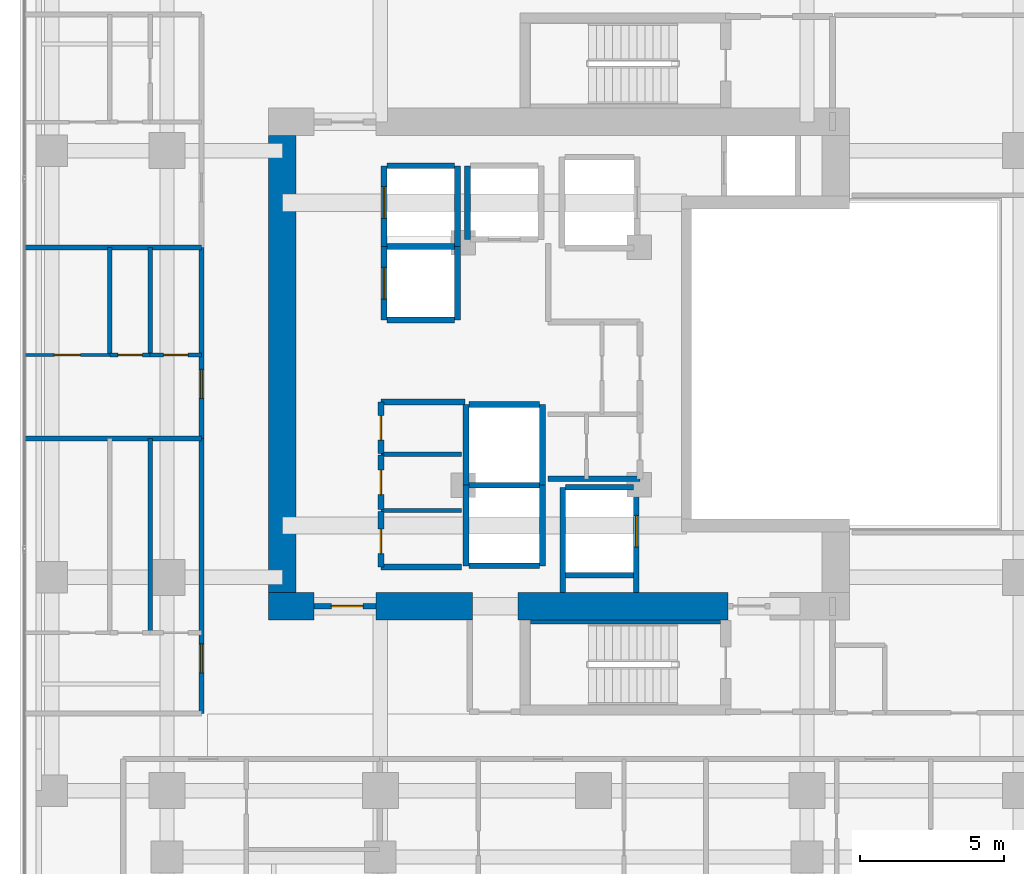
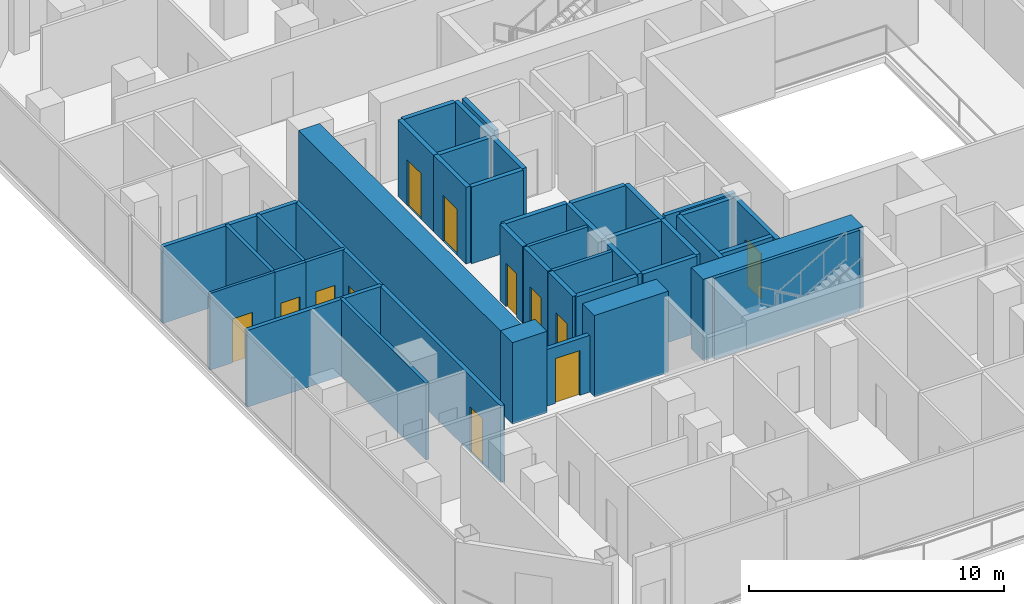
# One storey, part 22 of 29: 43 walls, 12 doors, 12 openings.
"""IFC4 building model written with IfcOpenShell, lengths in metres."""

from ifc_helpers import new_model, si_unit, direction, frame, frame_2d, origin, place, context, subcontext, project, spatial, rectangle, extrude, material, layer, layer_set, type_object, element, fill, save


model = new_model("IFC4")

# Units and contexts
model_context = context("Model", 3, precision=1e-05, world=origin(), true_north=direction((0.0, 1.0)))
body_context = subcontext(model_context, "Body", "Model", "MODEL_VIEW")
ifc_project = project(units=[si_unit("LENGTHUNIT", "METRE"), si_unit("AREAUNIT", "SQUARE_METRE"), si_unit("VOLUMEUNIT", "CUBIC_METRE"), si_unit("PLANEANGLEUNIT", "RADIAN"), si_unit("MASSUNIT", "GRAM", prefix="KILO")], contexts=[model_context])

# Site, building, storey
site_placement = place(None, origin())
site = spatial("IfcSite", under=ifc_project, at=site_placement, CompositionType="ELEMENT")
building_placement = place(site_placement, origin())
building = spatial("IfcBuilding", under=site, at=building_placement, Name="Khorvyn Point Tower", CompositionType="ELEMENT")
storey_placement = place(building_placement, frame((0.0, 0.0, 136.800048828125)))
storey = spatial("IfcBuildingStorey", under=building, at=storey_placement, Name="L34", CompositionType="ELEMENT", Elevation=136.800048828125)

# Wall, opening, door
ifc_material_1 = material(Name="Double acoustic gypsum on twin steel stud", Category="steel")
ifc_layer_1 = layer(ifc_material_1, 0.179931640625)
ifc_layer_set_1 = layer_set([ifc_layer_1], Name="Acoustic Double-Stud Apartment Demising Wall 180")
wall_type_1 = type_object("IfcWallType", Name="Acoustic Double-Stud Apartment Demising Wall 180", PredefinedType="PARTITIONING", material=ifc_layer_set_1)
wall_1_placement = place(storey_placement, frame((-13.60009765625, -12.1201171875, 0.0), z_axis=(0.0, 0.0, 1.0), x_axis=(0.0, 1.0, 0.0)))
wall_1 = element("IfcWall", 1, at=wall_1_placement, inside=storey, type_object=wall_type_1, Name="Wall", PredefinedType="PARTITIONING", context=body_context, shape_type="SweptSolid", body=[
    extrude(rectangle(XDim=9.5341796875, YDim=0.179931640625, at=frame_2d((4.76708984375, 0.0))), origin(), (0.0, 0.0, 1.0), 3.679931640625),
])
opening_1_placement = place(wall_1_placement, frame((1.409912109375, 0.0, 0.0)))
opening_1 = element("IfcOpeningElement", 2, at=opening_1_placement, cuts=wall_1, Name="Opening ID-AP60", PredefinedType="OPENING", context=body_context, shape_type="SweptSolid", body=[
    extrude(rectangle(XDim=1.0, YDim=2.199951171875, at=frame_2d((0.5, 1.10009765625))), frame((0.0, 0.099853515625, 0.0), z_axis=(0.0, -1.0, 0.0), x_axis=(1.0, 0.0, 0.0)), (0.0, 0.0, 1.0), 0.199951171875),
])
ifc_material_2 = material(Name="Engineered hardwood fire-rated leaf", Category="wood")
door_type_1 = type_object("IfcDoorType", Name="Acoustic Solid-Core Timber Apartment Entrance Door 1000x2200", OperationType="NOTDEFINED", PredefinedType="DOOR", material=ifc_material_2)
door_1_placement = place(opening_1_placement, origin())
door_1 = element("IfcDoor", 3, at=door_1_placement, inside=storey, type_object=door_type_1, Name="Door", OperationType="SINGLE_SWING_LEFT", OverallHeight=2.199951171875, OverallWidth=1.0, PredefinedType="DOOR", context=body_context, shape_type="SweptSolid", body=[
    extrude(rectangle(XDim=1.0, YDim=2.199951171875, at=frame_2d((0.5, 1.10009765625))), frame((0.0, 0.02490234375, 0.0), z_axis=(0.0, -1.0, 0.0), x_axis=(1.0, 0.0, 0.0)), (0.0, 0.0, 1.0), 0.050048828125),
])
fill(opening_1, door_1)

wall_2_placement = place(storey_placement, frame((-13.60009765625, -2.5859375, 0.0), z_axis=(0.0, 0.0, 1.0), x_axis=(0.0, 1.0, 0.0)))
wall_2 = element("IfcWall", 4, at=wall_2_placement, inside=storey, type_object=wall_type_1, Name="Wall", PredefinedType="PARTITIONING", context=body_context, shape_type="SweptSolid", body=[
    extrude(rectangle(XDim=6.6259765625, YDim=0.179931640625, at=frame_2d((3.31298828125, 0.0))), origin(), (0.0, 0.0, 1.0), 3.679931640625),
])
opening_2_placement = place(wall_2_placement, frame((1.398193359375, 0.0, 0.0)))
opening_2 = element("IfcOpeningElement", 5, at=opening_2_placement, cuts=wall_2, Name="Opening ID-AP60", PredefinedType="OPENING", context=body_context, shape_type="SweptSolid", body=[
    extrude(rectangle(XDim=1.0, YDim=2.199951171875, at=frame_2d((0.5, 1.10009765625))), frame((0.0, 0.099853515625, 0.0), z_axis=(0.0, -1.0, 0.0), x_axis=(1.0, 0.0, 0.0)), (0.0, 0.0, 1.0), 0.199951171875),
])
door_2_placement = place(opening_2_placement, origin())
door_2 = element("IfcDoor", 6, at=door_2_placement, inside=storey, type_object=door_type_1, Name="Door", OperationType="SINGLE_SWING_LEFT", OverallHeight=2.199951171875, OverallWidth=1.0, PredefinedType="DOOR", context=body_context, shape_type="SweptSolid", body=[
    extrude(rectangle(XDim=1.0, YDim=2.199951171875, at=frame_2d((0.5, 1.10009765625))), frame((0.0, 0.02490234375, 0.0), z_axis=(0.0, -1.0, 0.0), x_axis=(1.0, 0.0, 0.0)), (0.0, 0.0, 1.0), 0.050048828125),
])
fill(opening_2, door_2)

# Walls
for number, where, z_axis, x_axis, name in (
    (7, (-19.72998046875, -2.5859375, 0.0), (0.0, 0.0, 1.0), (1.0, 0.0, 0.0), "Wall"),
    (8, (-19.72998046875, 4.0400390625, 0.0), (0.0, 0.0, 1.0), (1.0, 0.0, 0.0), "Wall"),
):
    element("IfcWall", number, at=place(storey_placement, frame(where, z_axis=z_axis, x_axis=x_axis)), inside=storey, type_object=wall_type_1, Name=name, PredefinedType="PARTITIONING", context=body_context, shape_type="SweptSolid", body=[
        extrude(rectangle(XDim=6.1298828125, YDim=0.179931640625, at=frame_2d((3.06494140625, 0.0))), origin(), (0.0, 0.0, 1.0), 3.679931640625),
    ])

# Wall, opening, door
ifc_material_3 = material(Name="Concrete C40/50", Category="concrete")
ifc_layer_2 = layer(ifc_material_3, 0.199951171875)
ifc_layer_set_2 = layer_set([ifc_layer_2], Name="Concrete C40/50 Fire-Lobby Compartment Wall 200")
wall_type_2 = type_object("IfcWallType", Name="Concrete C40/50 Fire-Lobby Compartment Wall 200", PredefinedType="SOLIDWALL", material=ifc_layer_set_2)
wall_3_placement = place(storey_placement, frame((-9.699951171875, -8.39990234375, 0.0), z_axis=(0.0, 0.0, 1.0), x_axis=(1.0, 0.0, 0.0)))
wall_3 = element("IfcWall", 9, at=wall_3_placement, inside=storey, type_object=wall_type_2, Name="Wall", PredefinedType="SOLIDWALL", context=body_context, shape_type="SweptSolid", body=[
    extrude(rectangle(XDim=2.14990234375, YDim=0.199951171875, at=frame_2d((1.074951171875, 0.0))), origin(), (0.0, 0.0, 1.0), 2.719970703125),
])
opening_3_placement = place(wall_3_placement, frame((0.597900390625, 0.0, 0.0)))
opening_3 = element("IfcOpeningElement", 10, at=opening_3_placement, cuts=wall_3, Name="Opening ID-FL90", PredefinedType="OPENING", context=body_context, shape_type="SweptSolid", body=[
    extrude(rectangle(XDim=1.10009765625, YDim=2.14990234375, at=frame_2d((0.550048828125, 1.074951171875))), frame((0.0, 0.10986328125, 0.0), z_axis=(0.0, -1.0, 0.0), x_axis=(1.0, 0.0, 0.0)), (0.0, 0.0, 1.0), 0.219970703125),
])
ifc_material_4 = material(Name="Galvanised powder-coated steel", Category="steel")
door_type_2 = type_object("IfcDoorType", Name="Fire-Rated Steel Lobby and Stair Door 1100x2150", OperationType="NOTDEFINED", PredefinedType="DOOR", material=ifc_material_4)
door_3_placement = place(opening_3_placement, origin())
door_3 = element("IfcDoor", 11, at=door_3_placement, inside=storey, type_object=door_type_2, Name="Door", OperationType="SINGLE_SWING_LEFT", OverallHeight=2.14990234375, OverallWidth=1.10009765625, PredefinedType="DOOR", context=body_context, shape_type="SweptSolid", body=[
    extrude(rectangle(XDim=1.10009765625, YDim=2.14990234375, at=frame_2d((0.550048828125, 1.074951171875))), frame((0.0, 0.02490234375, 0.0), z_axis=(0.0, -1.0, 0.0), x_axis=(1.0, 0.0, 0.0)), (0.0, 0.0, 1.0), 0.050048828125),
])
fill(opening_3, door_3)

wall_4_placement = place(storey_placement, frame((-7.3798828125, -7.0400390625, 0.0), z_axis=(0.0, 0.0, 1.0), x_axis=(0.0, 1.0, 0.0)))
wall_4 = element("IfcWall", 12, at=wall_4_placement, inside=storey, type_object=wall_type_2, Name="Wall", PredefinedType="SOLIDWALL", context=body_context, shape_type="SweptSolid", body=[
    extrude(rectangle(XDim=1.929931640625, YDim=0.199951171875, at=frame_2d((0.96484375, 0.0))), origin(), (0.0, 0.0, 1.0), 3.679931640625),
])
opening_4_placement = place(wall_4_placement, frame((0.464111328125, 0.0, 0.0)))
opening_4 = element("IfcOpeningElement", 13, at=opening_4_placement, cuts=wall_4, Name="Opening ID-WC85", PredefinedType="OPENING", context=body_context, shape_type="SweptSolid", body=[
    extrude(rectangle(XDim=0.85009765625, YDim=2.10009765625, at=frame_2d((0.425048828125, 1.050048828125))), frame((0.0, 0.10986328125, 0.0), z_axis=(0.0, -1.0, 0.0), x_axis=(1.0, 0.0, 0.0)), (0.0, 0.0, 1.0), 0.219970703125),
])
ifc_material_5 = material(Name="High-pressure laminate on moisture-resistant core", Category="wood")
door_type_3 = type_object("IfcDoorType", Name="Moisture-Resistant Accessible Washroom Door 850x2100", OperationType="NOTDEFINED", PredefinedType="DOOR", material=ifc_material_5)
door_4_placement = place(opening_4_placement, origin())
door_4 = element("IfcDoor", 14, at=door_4_placement, inside=storey, type_object=door_type_3, Name="Door", OperationType="SINGLE_SWING_RIGHT", OverallHeight=2.10009765625, OverallWidth=0.85009765625, PredefinedType="DOOR", context=body_context, shape_type="SweptSolid", body=[
    extrude(rectangle(XDim=0.85009765625, YDim=2.10009765625, at=frame_2d((0.425048828125, 1.050048828125))), frame((0.0, 0.02490234375, 0.0), z_axis=(0.0, -1.0, 0.0), x_axis=(1.0, 0.0, 0.0)), (0.0, 0.0, 1.0), 0.050048828125),
])
fill(opening_4, door_4)

wall_5_placement = place(storey_placement, frame((-7.3798828125, -5.050048828125, 0.0), z_axis=(0.0, 0.0, 1.0), x_axis=(0.0, 1.0, 0.0)))
wall_5 = element("IfcWall", 15, at=wall_5_placement, inside=storey, type_object=wall_type_2, Name="Wall", PredefinedType="SOLIDWALL", context=body_context, shape_type="SweptSolid", body=[
    extrude(rectangle(XDim=1.89013671875, YDim=0.199951171875, at=frame_2d((0.945068359375, 0.0))), origin(), (0.0, 0.0, 1.0), 3.679931640625),
])
opening_5_placement = place(wall_5_placement, frame((0.52001953125, 0.0, 0.0)))
opening_5 = element("IfcOpeningElement", 16, at=opening_5_placement, cuts=wall_5, Name="Opening ID-WC85", PredefinedType="OPENING", context=body_context, shape_type="SweptSolid", body=[
    extrude(rectangle(XDim=0.85009765625, YDim=2.10009765625, at=frame_2d((0.425048828125, 1.050048828125))), frame((0.0, 0.10986328125, 0.0), z_axis=(0.0, -1.0, 0.0), x_axis=(1.0, 0.0, 0.0)), (0.0, 0.0, 1.0), 0.219970703125),
])
door_5_placement = place(opening_5_placement, origin())
door_5 = element("IfcDoor", 17, at=door_5_placement, inside=storey, type_object=door_type_3, Name="Door", OperationType="SINGLE_SWING_LEFT", OverallHeight=2.10009765625, OverallWidth=0.85009765625, PredefinedType="DOOR", context=body_context, shape_type="SweptSolid", body=[
    extrude(rectangle(XDim=0.85009765625, YDim=2.10009765625, at=frame_2d((0.425048828125, 1.050048828125))), frame((0.0, 0.02490234375, 0.0), z_axis=(0.0, -1.0, 0.0), x_axis=(1.0, 0.0, 0.0)), (0.0, 0.0, 1.0), 0.050048828125),
])
fill(opening_5, door_5)

wall_6_placement = place(storey_placement, frame((-7.3798828125, -3.10009765625, 0.0), z_axis=(0.0, 0.0, 1.0), x_axis=(0.0, 1.0, 0.0)))
wall_6 = element("IfcWall", 18, at=wall_6_placement, inside=storey, type_object=wall_type_2, Name="Wall", PredefinedType="SOLIDWALL", context=body_context, shape_type="SweptSolid", body=[
    extrude(rectangle(XDim=1.780029296875, YDim=0.199951171875, at=frame_2d((0.89013671875, 0.0))), origin(), (0.0, 0.0, 1.0), 3.679931640625),
])
opening_6_placement = place(wall_6_placement, frame((0.465087890625, 0.0, 0.0)))
opening_6 = element("IfcOpeningElement", 19, at=opening_6_placement, cuts=wall_6, Name="Opening ID-WC85", PredefinedType="OPENING", context=body_context, shape_type="SweptSolid", body=[
    extrude(rectangle(XDim=0.85009765625, YDim=2.10009765625, at=frame_2d((0.425048828125, 1.050048828125))), frame((0.0, 0.10986328125, 0.0), z_axis=(0.0, -1.0, 0.0), x_axis=(1.0, 0.0, 0.0)), (0.0, 0.0, 1.0), 0.219970703125),
])
door_6_placement = place(opening_6_placement, origin())
door_6 = element("IfcDoor", 20, at=door_6_placement, inside=storey, type_object=door_type_3, Name="Door", OperationType="SINGLE_SWING_RIGHT", OverallHeight=2.10009765625, OverallWidth=0.85009765625, PredefinedType="DOOR", context=body_context, shape_type="SweptSolid", body=[
    extrude(rectangle(XDim=0.85009765625, YDim=2.10009765625, at=frame_2d((0.425048828125, 1.050048828125))), frame((0.0, 0.02490234375, 0.0), z_axis=(0.0, -1.0, 0.0), x_axis=(1.0, 0.0, 0.0)), (0.0, 0.0, 1.0), 0.050048828125),
])
fill(opening_6, door_6)

# Walls
wall_7_placement = place(storey_placement, frame((-7.3798828125, -1.320068359375, 0.0), z_axis=(0.0, 0.0, 1.0), x_axis=(1.0, 0.0, 0.0)))
element("IfcWall", 21, at=wall_7_placement, inside=storey, type_object=wall_type_2, Name="Wall", PredefinedType="SOLIDWALL", context=body_context, shape_type="SweptSolid", body=[
    extrude(rectangle(XDim=2.909912109375, YDim=0.199951171875, at=frame_2d((1.455078125, 0.0))), origin(), (0.0, 0.0, 1.0), 3.679931640625),
])
wall_8_placement = place(storey_placement, frame((-1.580078125, -3.97998046875, 0.0), z_axis=(0.0, 0.0, 1.0), x_axis=(1.0, 0.0, 0.0)))
element("IfcWall", 22, at=wall_8_placement, inside=storey, type_object=wall_type_2, Name="Wall", PredefinedType="SOLIDWALL", context=body_context, shape_type="SweptSolid", body=[
    extrude(rectangle(XDim=3.190185546875, YDim=0.199951171875, at=frame_2d((1.59521484375, 0.0))), origin(), (0.0, 0.0, 1.0), 3.679931640625),
])
wall_9_placement = place(storey_placement, frame((-7.3798828125, -7.0400390625, 0.0), z_axis=(0.0, 0.0, 1.0), x_axis=(1.0, 0.0, 0.0)))
element("IfcWall", 23, at=wall_9_placement, inside=storey, type_object=wall_type_2, Name="Wall", PredefinedType="SOLIDWALL", context=body_context, shape_type="SweptSolid", body=[
    extrude(rectangle(XDim=2.7998046875, YDim=0.199951171875, at=frame_2d((1.39990234375, 0.0))), origin(), (0.0, 0.0, 1.0), 3.679931640625),
])
ifc_layer_3 = layer(ifc_material_3, 0.25)
ifc_layer_set_3 = layer_set([ifc_layer_3], Name="Concrete C40/50 Stair Inner Cheek Structural Wall 250")
wall_type_3 = type_object("IfcWallType", Name="Concrete C40/50 Stair Inner Cheek Structural Wall 250", PredefinedType="SHEAR", material=ifc_layer_set_3)
wall_10_placement = place(storey_placement, frame((-2.199951171875, -8.949951171875, 0.0), z_axis=(0.0, 0.0, 1.0), x_axis=(1.0, 0.0, 0.0)))
element("IfcWall", 24, at=wall_10_placement, inside=storey, type_object=wall_type_3, Name="Wall", PredefinedType="SHEAR", context=body_context, shape_type="SweptSolid", body=[
    extrude(rectangle(XDim=6.599853515625, YDim=0.14990234375, at=frame_2d((3.2998046875, 0.0))), origin(), (0.0, 0.0, 1.0), 3.89990234375),
])

# Wall, opening, door
ifc_layer_4 = layer(ifc_material_3, 0.199951171875)
ifc_layer_set_4 = layer_set([ifc_layer_4], Name="Concrete C40/50 Structural Hoistway and Stair Shaft Wall 200")
wall_type_4 = type_object("IfcWallType", Name="Concrete C40/50 Structural Hoistway and Stair Shaft Wall 200", PredefinedType="SHEAR", material=ifc_layer_set_4)
wall_11_placement = place(storey_placement, frame((-7.27490234375, 1.52490234375, 0.0), z_axis=(0.0, 0.0, 1.0), x_axis=(0.0, 1.0, 0.0)))
wall_11 = element("IfcWall", 25, at=wall_11_placement, inside=storey, type_object=wall_type_4, Name="Wall", PredefinedType="SHEAR", context=body_context, shape_type="SweptSolid", body=[
    extrude(rectangle(XDim=2.550048828125, YDim=0.199951171875, at=frame_2d((1.27490234375, 0.0))), origin(), (0.0, 0.0, 1.0), 3.679931640625),
])
opening_7_placement = place(wall_11_placement, frame((0.72509765625, 0.0, 0.0)))
opening_7 = element("IfcOpeningElement", 26, at=opening_7_placement, cuts=wall_11, Name="Opening LD-1122", PredefinedType="OPENING", context=body_context, shape_type="SweptSolid", body=[
    extrude(rectangle(XDim=1.10009765625, YDim=2.199951171875, at=frame_2d((0.550048828125, 1.10009765625))), frame((0.0, 0.10986328125, 0.0), z_axis=(0.0, -1.0, 0.0), x_axis=(1.0, 0.0, 0.0)), (0.0, 0.0, 1.0), 0.219970703125),
])
ifc_material_6 = material(Name="Stainless steel 1.4301", Category="steel")
door_type_4 = type_object("IfcDoorType", Name="Stainless Steel Automatic Sliding Lift Landing Door 1100x2200", OperationType="SLIDING_TO_LEFT", PredefinedType="DOOR", material=ifc_material_6)
door_7_placement = place(opening_7_placement, origin())
door_7 = element("IfcDoor", 27, at=door_7_placement, inside=storey, type_object=door_type_4, Name="L34 RM-01 Sliding Lift Landing Door", OperationType="SLIDING_TO_LEFT", OverallHeight=2.199951171875, OverallWidth=1.10009765625, PredefinedType="DOOR", context=body_context, shape_type="SweptSolid", body=[
    extrude(rectangle(XDim=1.10009765625, YDim=2.199951171875, at=frame_2d((0.550048828125, 1.10009765625))), frame((0.0, 0.02490234375, 0.0), z_axis=(0.0, -1.0, 0.0), x_axis=(1.0, 0.0, 0.0)), (0.0, 0.0, 1.0), 0.050048828125),
])
fill(opening_7, door_7)

# Walls
wall_12_placement = place(storey_placement, frame((-4.72509765625, 1.52490234375, 0.0), z_axis=(0.0, 0.0, 1.0), x_axis=(0.0, 1.0, 0.0)))
element("IfcWall", 28, at=wall_12_placement, inside=storey, type_object=wall_type_4, Name="Wall", PredefinedType="SHEAR", context=body_context, shape_type="SweptSolid", body=[
    extrude(rectangle(XDim=2.550048828125, YDim=0.199951171875, at=frame_2d((1.27490234375, 0.0))), origin(), (0.0, 0.0, 1.0), 3.679931640625),
])
for number, where, z_axis, x_axis, name in (
    (29, (-7.175048828125, 1.52490234375, 0.0), (0.0, 0.0, 1.0), (1.0, 0.0, 0.0), "Wall"),
    (30, (-7.175048828125, 4.074951171875, 0.0), (0.0, 0.0, 1.0), (1.0, 0.0, 0.0), "Wall"),
):
    element("IfcWall", number, at=place(storey_placement, frame(where, z_axis=z_axis, x_axis=x_axis)), inside=storey, type_object=wall_type_4, Name=name, PredefinedType="SHEAR", context=body_context, shape_type="SweptSolid", body=[
        extrude(rectangle(XDim=2.35009765625, YDim=0.199951171875, at=frame_2d((1.175048828125, 0.0))), origin(), (0.0, 0.0, 1.0), 3.679931640625),
    ])

# Wall, opening, door
wall_13_placement = place(storey_placement, frame((-7.27490234375, 4.074951171875, 0.0), z_axis=(0.0, 0.0, 1.0), x_axis=(0.0, 1.0, 0.0)))
wall_13 = element("IfcWall", 31, at=wall_13_placement, inside=storey, type_object=wall_type_4, Name="Wall", PredefinedType="SHEAR", context=body_context, shape_type="SweptSolid", body=[
    extrude(rectangle(XDim=2.800048828125, YDim=0.199951171875, at=frame_2d((1.39990234375, 0.0))), origin(), (0.0, 0.0, 1.0), 3.679931640625),
])
opening_8_placement = place(wall_13_placement, frame((0.97509765625, 0.0, 0.0)))
opening_8 = element("IfcOpeningElement", 32, at=opening_8_placement, cuts=wall_13, Name="Opening LD-1122", PredefinedType="OPENING", context=body_context, shape_type="SweptSolid", body=[
    extrude(rectangle(XDim=1.10009765625, YDim=2.199951171875, at=frame_2d((0.550048828125, 1.10009765625))), frame((0.0, 0.10986328125, 0.0), z_axis=(0.0, -1.0, 0.0), x_axis=(1.0, 0.0, 0.0)), (0.0, 0.0, 1.0), 0.219970703125),
])
door_8_placement = place(opening_8_placement, origin())
door_8 = element("IfcDoor", 33, at=door_8_placement, inside=storey, type_object=door_type_4, Name="L34 RM-02 Sliding Lift Landing Door", OperationType="SLIDING_TO_LEFT", OverallHeight=2.199951171875, OverallWidth=1.10009765625, PredefinedType="DOOR", context=body_context, shape_type="SweptSolid", body=[
    extrude(rectangle(XDim=1.10009765625, YDim=2.199951171875, at=frame_2d((0.550048828125, 1.10009765625))), frame((0.0, 0.02490234375, 0.0), z_axis=(0.0, -1.0, 0.0), x_axis=(1.0, 0.0, 0.0)), (0.0, 0.0, 1.0), 0.050048828125),
])
fill(opening_8, door_8)

# Walls
wall_14_placement = place(storey_placement, frame((-4.72509765625, 4.074951171875, 0.0), z_axis=(0.0, 0.0, 1.0), x_axis=(0.0, 1.0, 0.0)))
element("IfcWall", 34, at=wall_14_placement, inside=storey, type_object=wall_type_4, Name="Wall", PredefinedType="SHEAR", context=body_context, shape_type="SweptSolid", body=[
    extrude(rectangle(XDim=2.800048828125, YDim=0.199951171875, at=frame_2d((1.39990234375, 0.0))), origin(), (0.0, 0.0, 1.0), 3.679931640625),
])
wall_15_placement = place(storey_placement, frame((-7.175048828125, 6.875, 0.0), z_axis=(0.0, 0.0, 1.0), x_axis=(1.0, 0.0, 0.0)))
element("IfcWall", 35, at=wall_15_placement, inside=storey, type_object=wall_type_4, Name="Wall", PredefinedType="SHEAR", context=body_context, shape_type="SweptSolid", body=[
    extrude(rectangle(XDim=2.35009765625, YDim=0.199951171875, at=frame_2d((1.175048828125, 0.0))), origin(), (0.0, 0.0, 1.0), 3.679931640625),
])
wall_16_placement = place(storey_placement, frame((-4.375, 4.324951171875, 0.0), z_axis=(0.0, 0.0, 1.0), x_axis=(0.0, 1.0, 0.0)))
element("IfcWall", 36, at=wall_16_placement, inside=storey, type_object=wall_type_4, Name="Wall", PredefinedType="SHEAR", context=body_context, shape_type="SweptSolid", body=[
    extrude(rectangle(XDim=2.550048828125, YDim=0.199951171875, at=frame_2d((1.27490234375, 0.0))), origin(), (0.0, 0.0, 1.0), 3.679931640625),
])
for number, where, z_axis, x_axis, name in (
    (37, (-4.425048828125, -7.0, 0.0), (0.0, 0.0, 1.0), (0.0, 1.0, 0.0), "Wall"),
    (38, (-1.77490234375, -7.0, 0.0), (0.0, 0.0, 1.0), (0.0, 1.0, 0.0), "Wall"),
):
    element("IfcWall", number, at=place(storey_placement, frame(where, z_axis=z_axis, x_axis=x_axis)), inside=storey, type_object=wall_type_4, Name=name, PredefinedType="SHEAR", context=body_context, shape_type="SweptSolid", body=[
        extrude(rectangle(XDim=2.800048828125, YDim=0.199951171875, at=frame_2d((1.39990234375, 0.0))), origin(), (0.0, 0.0, 1.0), 3.679931640625),
    ])
for number, where, z_axis, x_axis, name in (
    (39, (-4.324951171875, -7.0, 0.0), (0.0, 0.0, 1.0), (1.0, 0.0, 0.0), "Wall"),
    (40, (-4.324951171875, -4.199951171875, 0.0), (0.0, 0.0, 1.0), (1.0, 0.0, 0.0), "Wall"),
):
    element("IfcWall", number, at=place(storey_placement, frame(where, z_axis=z_axis, x_axis=x_axis)), inside=storey, type_object=wall_type_4, Name=name, PredefinedType="SHEAR", context=body_context, shape_type="SweptSolid", body=[
        extrude(rectangle(XDim=2.449951171875, YDim=0.199951171875, at=frame_2d((1.22509765625, 0.0))), origin(), (0.0, 0.0, 1.0), 3.679931640625),
    ])
for number, where, z_axis, x_axis, name in (
    (41, (-4.425048828125, -4.199951171875, 0.0), (0.0, 0.0, 1.0), (0.0, 1.0, 0.0), "Wall"),
    (42, (-1.77490234375, -4.199951171875, 0.0), (0.0, 0.0, 1.0), (0.0, 1.0, 0.0), "Wall"),
):
    element("IfcWall", number, at=place(storey_placement, frame(where, z_axis=z_axis, x_axis=x_axis)), inside=storey, type_object=wall_type_4, Name=name, PredefinedType="SHEAR", context=body_context, shape_type="SweptSolid", body=[
        extrude(rectangle(XDim=2.800048828125, YDim=0.199951171875, at=frame_2d((1.39990234375, 0.0))), origin(), (0.0, 0.0, 1.0), 3.679931640625),
    ])
wall_17_placement = place(storey_placement, frame((-4.324951171875, -1.39990234375, 0.0), z_axis=(0.0, 0.0, 1.0), x_axis=(1.0, 0.0, 0.0)))
element("IfcWall", 43, at=wall_17_placement, inside=storey, type_object=wall_type_4, Name="Wall", PredefinedType="SHEAR", context=body_context, shape_type="SweptSolid", body=[
    extrude(rectangle(XDim=2.449951171875, YDim=0.199951171875, at=frame_2d((1.22509765625, 0.0))), origin(), (0.0, 0.0, 1.0), 3.679931640625),
])
wall_18_placement = place(storey_placement, frame((-1.074951171875, -7.925048828125, 0.0), z_axis=(0.0, 0.0, 1.0), x_axis=(0.0, 1.0, 0.0)))
element("IfcWall", 44, at=wall_18_placement, inside=storey, type_object=wall_type_4, Name="Wall", PredefinedType="SHEAR", context=body_context, shape_type="SweptSolid", body=[
    extrude(rectangle(XDim=3.650146484375, YDim=0.199951171875, at=frame_2d((1.8251953125, 0.0))), origin(), (0.0, 0.0, 1.0), 3.679931640625),
])

# Wall, opening, door
wall_19_placement = place(storey_placement, frame((1.47509765625, -7.925048828125, 0.0), z_axis=(0.0, 0.0, 1.0), x_axis=(0.0, 1.0, 0.0)))
wall_19 = element("IfcWall", 45, at=wall_19_placement, inside=storey, type_object=wall_type_4, Name="Wall", PredefinedType="SHEAR", context=body_context, shape_type="SweptSolid", body=[
    extrude(rectangle(XDim=3.650146484375, YDim=0.199951171875, at=frame_2d((1.8251953125, 0.0))), origin(), (0.0, 0.0, 1.0), 3.679931640625),
])
opening_9_placement = place(wall_19_placement, frame((1.574951171875, 0.0, 0.0)))
opening_9 = element("IfcOpeningElement", 46, at=opening_9_placement, cuts=wall_19, Name="Opening LD-1122", PredefinedType="OPENING", context=body_context, shape_type="SweptSolid", body=[
    extrude(rectangle(XDim=1.10009765625, YDim=2.199951171875, at=frame_2d((0.550048828125, 1.10009765625))), frame((0.0, 0.10986328125, 0.0), z_axis=(0.0, -1.0, 0.0), x_axis=(1.0, 0.0, 0.0)), (0.0, 0.0, 1.0), 0.219970703125),
])
door_9_placement = place(opening_9_placement, origin())
door_9 = element("IfcDoor", 47, at=door_9_placement, inside=storey, type_object=door_type_4, Name="L34 FF-01 Sliding Lift Landing Door", OperationType="SLIDING_TO_LEFT", OverallHeight=2.199951171875, OverallWidth=1.10009765625, PredefinedType="DOOR", context=body_context, shape_type="SweptSolid", body=[
    extrude(rectangle(XDim=1.10009765625, YDim=2.199951171875, at=frame_2d((0.550048828125, 1.10009765625))), frame((0.0, 0.02490234375, 0.0), z_axis=(0.0, -1.0, 0.0), x_axis=(1.0, 0.0, 0.0)), (0.0, 0.0, 1.0), 0.050048828125),
])
fill(opening_9, door_9)

# Walls
for number, where, z_axis, x_axis, name in (
    (48, (-0.97509765625, -7.324951171875, 0.0), (0.0, 0.0, 1.0), (1.0, 0.0, 0.0), "Wall"),
    (49, (-0.97509765625, -4.27490234375, 0.0), (0.0, 0.0, 1.0), (1.0, 0.0, 0.0), "Wall"),
):
    element("IfcWall", number, at=place(storey_placement, frame(where, z_axis=z_axis, x_axis=x_axis)), inside=storey, type_object=wall_type_4, Name=name, PredefinedType="SHEAR", context=body_context, shape_type="SweptSolid", body=[
        extrude(rectangle(XDim=2.35009765625, YDim=0.199951171875, at=frame_2d((1.175048828125, 0.0))), origin(), (0.0, 0.0, 1.0), 3.679931640625),
    ])
ifc_material_7 = material(Name="Concrete C50/60", Category="concrete")
ifc_layer_5 = layer(ifc_material_7, 0.949951171875)
ifc_layer_set_5 = layer_set([ifc_layer_5], Name="Concrete C50/60 Core Shear Wall 950")
wall_type_5 = type_object("IfcWallType", Name="Concrete C50/60 Core Shear Wall 950", PredefinedType="SHEAR", material=ifc_layer_set_5)
wall_20_placement = place(storey_placement, frame((-11.27490234375, -8.39990234375, 0.0), z_axis=(0.0, 0.0, 1.0), x_axis=(1.0, 0.0, 0.0)))
element("IfcWall", 50, at=wall_20_placement, inside=storey, type_object=wall_type_5, Name="Wall", PredefinedType="SHEAR", context=body_context, shape_type="SweptSolid", body=[
    extrude(rectangle(XDim=1.574951171875, YDim=0.949951171875, at=frame_2d((0.78759765625, 0.0))), origin(), (0.0, 0.0, 1.0), 3.89990234375),
])
wall_21_placement = place(storey_placement, frame((-7.550048828125, -8.39990234375, 0.0), z_axis=(0.0, 0.0, 1.0), x_axis=(1.0, 0.0, 0.0)))
element("IfcWall", 51, at=wall_21_placement, inside=storey, type_object=wall_type_5, Name="Wall", PredefinedType="SHEAR", context=body_context, shape_type="SweptSolid", body=[
    extrude(rectangle(XDim=3.35009765625, YDim=0.949951171875, at=frame_2d((1.675048828125, 0.0))), origin(), (0.0, 0.0, 1.0), 3.89990234375),
])
wall_22_placement = place(storey_placement, frame((-2.6201171875, -8.39990234375, 0.0), z_axis=(0.0, 0.0, 1.0), x_axis=(1.0, 0.0, 0.0)))
element("IfcWall", 52, at=wall_22_placement, inside=storey, type_object=wall_type_5, Name="Wall", PredefinedType="SHEAR", context=body_context, shape_type="SweptSolid", body=[
    extrude(rectangle(XDim=7.27001953125, YDim=0.949951171875, at=frame_2d((3.635009765625, 0.0))), origin(), (0.0, 0.0, 1.0), 3.89990234375),
])
wall_23_placement = place(storey_placement, frame((-10.800048828125, -7.925048828125, 0.0), z_axis=(0.0, 0.0, 1.0), x_axis=(0.0, 1.0, 0.0)))
element("IfcWall", 53, at=wall_23_placement, inside=storey, type_object=wall_type_5, Name="Wall", PredefinedType="SHEAR", context=body_context, shape_type="SweptSolid", body=[
    extrude(rectangle(XDim=15.85009765625, YDim=0.949951171875, at=frame_2d((7.925048828125, 0.0))), origin(), (0.0, 0.0, 1.0), 3.89990234375),
])

# Wall, opening, door
ifc_material_8 = material(Name="Gypsum plasterboard on steel stud", Category="steel")
ifc_layer_6 = layer(ifc_material_8, 0.1201171875)
ifc_layer_set_6 = layer_set([ifc_layer_6], Name="Gypsum Acoustic Stud Room Partition Wall 120")
wall_type_6 = type_object("IfcWallType", Name="Gypsum Acoustic Stud Room Partition Wall 120", PredefinedType="PARTITIONING", material=ifc_layer_set_6)
wall_24_placement = place(storey_placement, frame((-19.72998046875, 0.31396484375, 0.0), z_axis=(0.0, 0.0, 1.0), x_axis=(1.0, 0.0, 0.0)))
wall_24 = element("IfcWall", 54, at=wall_24_placement, inside=storey, type_object=wall_type_6, Name="Wall", PredefinedType="PARTITIONING", context=body_context, shape_type="SweptSolid", body=[
    extrude(rectangle(XDim=2.946044921875, YDim=0.1201171875, at=frame_2d((1.47314453125, 0.0))), origin(), (0.0, 0.0, 1.0), 3.679931640625),
])
opening_10_placement = place(wall_24_placement, frame((1.02294921875, 0.0, 0.0)))
opening_10 = element("IfcOpeningElement", 55, at=opening_10_placement, cuts=wall_24, Name="Opening ID-RM90", PredefinedType="OPENING", context=body_context, shape_type="SweptSolid", body=[
    extrude(rectangle(XDim=0.89990234375, YDim=2.10009765625, at=frame_2d((0.449951171875, 1.050048828125))), frame((0.0, 0.070068359375, 0.0), z_axis=(0.0, -1.0, 0.0), x_axis=(1.0, 0.0, 0.0)), (0.0, 0.0, 1.0), 0.14013671875),
])
ifc_material_9 = material(Name="Engineered oak veneer timber", Category="wood")
door_type_5 = type_object("IfcDoorType", Name="Flush Engineered Timber Room Door 900x2100", OperationType="NOTDEFINED", PredefinedType="DOOR", material=ifc_material_9)
door_10_placement = place(opening_10_placement, origin())
door_10 = element("IfcDoor", 56, at=door_10_placement, inside=storey, type_object=door_type_5, Name="Door", OperationType="SINGLE_SWING_RIGHT", OverallHeight=2.10009765625, OverallWidth=0.89990234375, PredefinedType="DOOR", context=body_context, shape_type="SweptSolid", body=[
    extrude(rectangle(XDim=0.89990234375, YDim=2.10009765625, at=frame_2d((0.449951171875, 1.050048828125))), frame((0.0, 0.02490234375, 0.0), z_axis=(0.0, -1.0, 0.0), x_axis=(1.0, 0.0, 0.0)), (0.0, 0.0, 1.0), 0.050048828125),
])
fill(opening_10, door_10)

ifc_material_10 = material(Name="Moisture-resistant gypsum and cement board", Category="gypsum")
ifc_layer_7 = layer(ifc_material_10, 0.14990234375)
ifc_layer_set_7 = layer_set([ifc_layer_7], Name="Moisture-Resistant Wet-Room Partition Wall 150")
wall_type_7 = type_object("IfcWallType", Name="Moisture-Resistant Wet-Room Partition Wall 150", PredefinedType="PARTITIONING", material=ifc_layer_set_7)
wall_25_placement = place(storey_placement, frame((-16.783935546875, 0.31396484375, 0.0), z_axis=(0.0, 0.0, 1.0), x_axis=(1.0, 0.0, 0.0)))
wall_25 = element("IfcWall", 57, at=wall_25_placement, inside=storey, type_object=wall_type_7, Name="Wall", PredefinedType="PARTITIONING", context=body_context, shape_type="SweptSolid", body=[
    extrude(rectangle(XDim=1.39990234375, YDim=0.14990234375, at=frame_2d((0.699951171875, 0.0))), origin(), (0.0, 0.0, 1.0), 3.679931640625),
])
opening_11_placement = place(wall_25_placement, frame((0.27490234375, 0.0, 0.0)))
opening_11 = element("IfcOpeningElement", 58, at=opening_11_placement, cuts=wall_25, Name="Opening ID-WC85", PredefinedType="OPENING", context=body_context, shape_type="SweptSolid", body=[
    extrude(rectangle(XDim=0.85009765625, YDim=2.10009765625, at=frame_2d((0.425048828125, 1.050048828125))), frame((0.0, 0.0849609375, 0.0), z_axis=(0.0, -1.0, 0.0), x_axis=(1.0, 0.0, 0.0)), (0.0, 0.0, 1.0), 0.169921875),
])
door_11_placement = place(opening_11_placement, origin())
door_11 = element("IfcDoor", 59, at=door_11_placement, inside=storey, type_object=door_type_3, Name="Door", OperationType="SINGLE_SWING_RIGHT", OverallHeight=2.10009765625, OverallWidth=0.85009765625, PredefinedType="DOOR", context=body_context, shape_type="SweptSolid", body=[
    extrude(rectangle(XDim=0.85009765625, YDim=2.10009765625, at=frame_2d((0.425048828125, 1.050048828125))), frame((0.0, 0.02490234375, 0.0), z_axis=(0.0, -1.0, 0.0), x_axis=(1.0, 0.0, 0.0)), (0.0, 0.0, 1.0), 0.050048828125),
])
fill(opening_11, door_11)

wall_26_placement = place(storey_placement, frame((-15.384033203125, 0.31396484375, 0.0), z_axis=(0.0, 0.0, 1.0), x_axis=(1.0, 0.0, 0.0)))
wall_26 = element("IfcWall", 60, at=wall_26_placement, inside=storey, type_object=wall_type_7, Name="Wall", PredefinedType="PARTITIONING", context=body_context, shape_type="SweptSolid", body=[
    extrude(rectangle(XDim=1.783935546875, YDim=0.14990234375, at=frame_2d((0.89208984375, 0.0))), origin(), (0.0, 0.0, 1.0), 3.679931640625),
])
opening_12_placement = place(wall_26_placement, frame((0.467041015625, 0.0, 0.0)))
opening_12 = element("IfcOpeningElement", 61, at=opening_12_placement, cuts=wall_26, Name="Opening ID-WC85", PredefinedType="OPENING", context=body_context, shape_type="SweptSolid", body=[
    extrude(rectangle(XDim=0.85009765625, YDim=2.10009765625, at=frame_2d((0.425048828125, 1.050048828125))), frame((0.0, 0.0849609375, 0.0), z_axis=(0.0, -1.0, 0.0), x_axis=(1.0, 0.0, 0.0)), (0.0, 0.0, 1.0), 0.169921875),
])
door_12_placement = place(opening_12_placement, origin())
door_12 = element("IfcDoor", 62, at=door_12_placement, inside=storey, type_object=door_type_3, Name="Door", OperationType="SINGLE_SWING_LEFT", OverallHeight=2.10009765625, OverallWidth=0.85009765625, PredefinedType="DOOR", context=body_context, shape_type="SweptSolid", body=[
    extrude(rectangle(XDim=0.85009765625, YDim=2.10009765625, at=frame_2d((0.425048828125, 1.050048828125))), frame((0.0, 0.02490234375, 0.0), z_axis=(0.0, -1.0, 0.0), x_axis=(1.0, 0.0, 0.0)), (0.0, 0.0, 1.0), 0.050048828125),
])
fill(opening_12, door_12)

# Walls
for number, where, z_axis, x_axis, name in (
    (63, (-7.3798828125, -5.080078125, 0.0), (0.0, 0.0, 1.0), (1.0, 0.0, 0.0), "Wall"),
    (64, (-7.3798828125, -3.1298828125, 0.0), (0.0, 0.0, 1.0), (1.0, 0.0, 0.0), "Wall"),
):
    element("IfcWall", number, at=place(storey_placement, frame(where, z_axis=z_axis, x_axis=x_axis)), inside=storey, type_object=wall_type_7, Name=name, PredefinedType="PARTITIONING", context=body_context, shape_type="SweptSolid", body=[
        extrude(rectangle(XDim=2.7998046875, YDim=0.14990234375, at=frame_2d((1.39990234375, 0.0))), origin(), (0.0, 0.0, 1.0), 3.679931640625),
    ])
wall_27_placement = place(storey_placement, frame((-15.384033203125, -9.320068359375, 0.0), z_axis=(0.0, 0.0, 1.0), x_axis=(0.0, 1.0, 0.0)))
element("IfcWall", 65, at=wall_27_placement, inside=storey, type_object=wall_type_7, Name="Wall", PredefinedType="PARTITIONING", context=body_context, shape_type="SweptSolid", body=[
    extrude(rectangle(XDim=6.734130859375, YDim=0.14990234375, at=frame_2d((3.3671875, 0.0))), origin(), (0.0, 0.0, 1.0), 3.679931640625),
])
for number, where, z_axis, x_axis, name in (
    (66, (-15.384033203125, 0.31396484375, 0.0), (0.0, 0.0, 1.0), (0.0, 1.0, 0.0), "Wall"),
    (67, (-16.783935546875, 0.31396484375, 0.0), (0.0, 0.0, 1.0), (0.0, 1.0, 0.0), "Wall"),
):
    element("IfcWall", number, at=place(storey_placement, frame(where, z_axis=z_axis, x_axis=x_axis)), inside=storey, type_object=wall_type_7, Name=name, PredefinedType="PARTITIONING", context=body_context, shape_type="SweptSolid", body=[
        extrude(rectangle(XDim=3.72607421875, YDim=0.14990234375, at=frame_2d((1.863037109375, 0.0))), origin(), (0.0, 0.0, 1.0), 3.679931640625),
    ])

save(model, "model.ifc")
